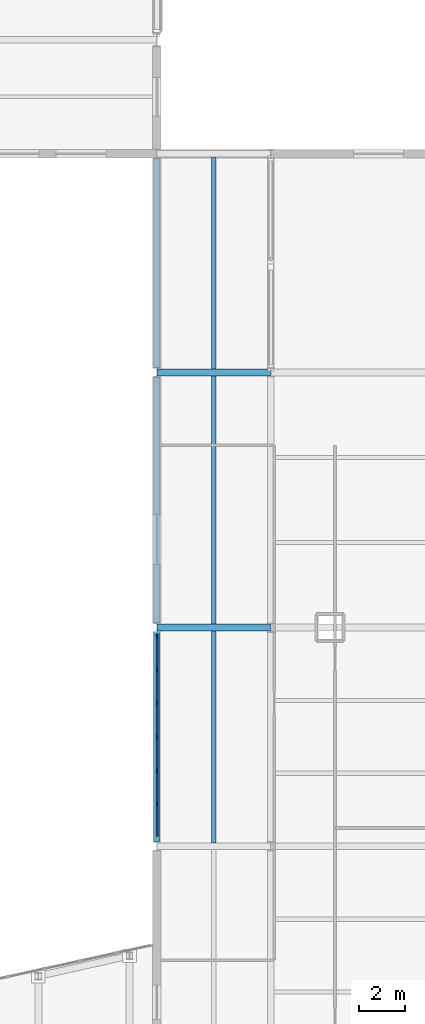
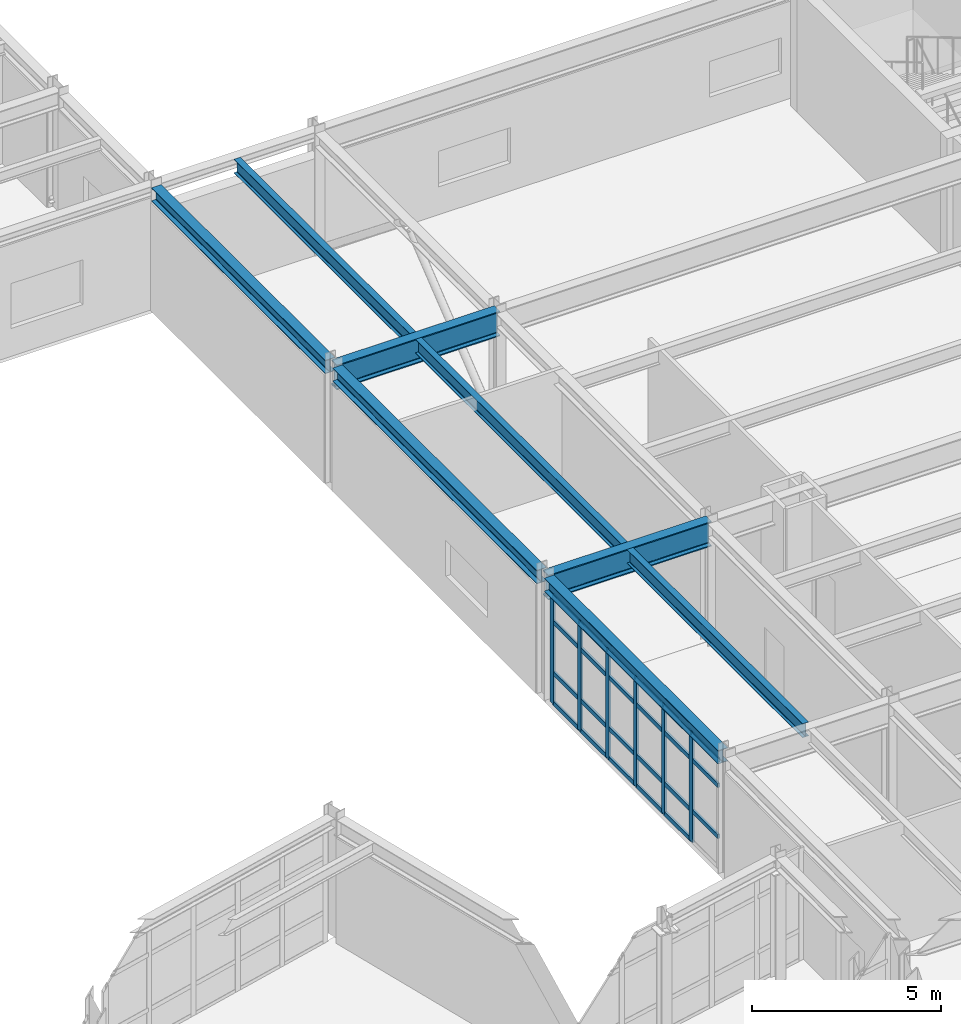
# One storey, part 51 of 99: 29 members, 8 beams, 1 element without a shape of its own.
"""IFC4 building model written with IfcOpenShell, lengths in metres."""

import ifcopenshell
import ifcopenshell.guid

model = None  # the IFC model being written
_history = None  # IfcOwnerHistory: only IFC2X3 demands one
_inside = {}  # id of a spatial element -> (the spatial element, [elements in it])
_under = {}  # id of a project, library or spatial element -> (it, [spatial elements below it])
_declared = {}  # id of a project -> (the project, [libraries it declares])
_typed = {}  # id of a type object -> (the type object, [elements of that type])
_made_of = {}  # id of a material, layer set ... -> (it, [elements and type objects made of it])


def new_model(schema):
    """Start an empty IFC model of exactly this schema.

    Asked for "IFC4X3", IfcOpenShell would pick the latest addendum, in which some entities
    have other attributes; the version numbers below select the first issue.
    IFC2X3 requires an IfcOwnerHistory on every rooted entity: one is made here for all.
    """
    global model, _history
    if schema == "IFC4X3":
        model = ifcopenshell.file(schema_version=(4, 3, 0, 0))
    else:
        model = ifcopenshell.file(schema=schema)
    _inside.clear()
    _under.clear()
    _declared.clear()
    _typed.clear()
    _made_of.clear()
    _history = None
    if model.schema == "IFC2X3":
        org = make("IfcOrganization", Name="unknown")
        user = make(
            "IfcPersonAndOrganization",
            ThePerson=make("IfcPerson", FamilyName="unknown"),
            TheOrganization=org,
        )
        app = make(
            "IfcApplication",
            ApplicationDeveloper=org,
            Version="unknown",
            ApplicationFullName="unknown",
            ApplicationIdentifier="unknown",
        )
        _history = make(
            "IfcOwnerHistory",
            OwningUser=user,
            OwningApplication=app,
            ChangeAction="ADDED",
            CreationDate=0,
        )
    return model


def make(cls, **values):
    """One entity of the class cls with the attributes given. An attribute that is None is left unset."""
    return model.create_entity(
        cls, **{name: value for name, value in values.items() if value is not None}
    )


def rooted(cls, **values):
    """An entity with a GlobalId (a new one), such as an element, a storey or a relation."""
    return make(cls, GlobalId=ifcopenshell.guid.new(), OwnerHistory=_history, **values)


def si_unit(unit_type, name, prefix=None):
    """IfcSIUnit, for example si_unit("LENGTHUNIT", "METRE", prefix="MILLI")."""
    return make("IfcSIUnit", UnitType=unit_type, Prefix=prefix, Name=name)


def assignment(units):
    """IfcUnitAssignment: the units of a project."""
    return None if units is None else make("IfcUnitAssignment", Units=units)


def point(xyz):
    """IfcCartesianPoint."""
    return None if xyz is None else make("IfcCartesianPoint", Coordinates=xyz)


def direction(xyz):
    """IfcDirection."""
    return None if xyz is None else make("IfcDirection", DirectionRatios=xyz)


def frame(location, z_axis=None, x_axis=None):
    """IfcAxis2Placement3D, a coordinate frame: its origin and axes. An axis left out is left unset."""
    return make(
        "IfcAxis2Placement3D",
        Location=point(location),
        Axis=direction(z_axis),
        RefDirection=direction(x_axis),
    )


def frame_2d(location, x_axis=None):
    """IfcAxis2Placement2D, a coordinate frame in the plane: its origin and x axis."""
    return make(
        "IfcAxis2Placement2D", Location=point(location), RefDirection=direction(x_axis)
    )


def origin():
    """The frame at (0, 0, 0) with its axes left unset."""
    return frame((0.0, 0.0, 0.0))


def origin_2d():
    """The frame at (0, 0) in the plane with its x axis left unset."""
    return frame_2d((0.0, 0.0))


def place(relative_to, where):
    """IfcLocalPlacement: puts the frame where relative to a parent placement (None: the world)."""
    return make(
        "IfcLocalPlacement", PlacementRelTo=relative_to, RelativePlacement=where
    )


def context(
    kind, dimensions, precision=None, world=None, true_north=None, identifier=None
):
    """IfcGeometricRepresentationContext, for example the 3D "Model" context."""
    return make(
        "IfcGeometricRepresentationContext",
        ContextIdentifier=identifier,
        ContextType=kind,
        CoordinateSpaceDimension=dimensions,
        Precision=precision,
        WorldCoordinateSystem=world,
        TrueNorth=true_north,
    )


def subcontext(parent, identifier, kind, view, scale=None):
    """IfcGeometricRepresentationSubContext, for example "Body" below "Model"."""
    return make(
        "IfcGeometricRepresentationSubContext",
        ContextIdentifier=identifier,
        ContextType=kind,
        ParentContext=parent,
        TargetScale=scale,
        TargetView=view,
    )


def project(units=None, contexts=None):
    """IfcProject with its units and contexts."""
    return rooted(
        "IfcProject",
        Name="project",
        RepresentationContexts=contexts,
        UnitsInContext=assignment(units),
    )


def spatial(cls, under=None, at=None, **own):
    """A site, building, storey or space (cls), placed at a placement, below another one or the project."""
    s = rooted(cls, ObjectPlacement=at, **own)
    if under is not None:
        _under.setdefault(under.id(), (under, []))[1].append(s)
    return s


def profile(cls, at=None, kind="AREA", **sizes):
    """A parametric profile (cls). Its sizes go by their IFC names, for example OverallWidth=200.0."""
    return make(cls, ProfileType=kind, Position=at, **sizes)


def rectangle(**sizes):
    """IfcRectangleProfileDef."""
    return profile("IfcRectangleProfileDef", **sizes)


def i_section(**sizes):
    """IfcIShapeProfileDef."""
    return profile("IfcIShapeProfileDef", **sizes)


def extrude(swept, where, along, depth):
    """IfcExtrudedAreaSolid: the profile swept, set in the frame where, extruded along a direction by depth."""
    return make(
        "IfcExtrudedAreaSolid",
        SweptArea=swept,
        Position=where,
        ExtrudedDirection=direction(along),
        Depth=depth,
    )


def shape(context_of_items, identifier, shape_type, items):
    """IfcShapeRepresentation: the items that make up one representation, for example the "Body"."""
    return make(
        "IfcShapeRepresentation",
        ContextOfItems=context_of_items,
        RepresentationIdentifier=identifier,
        RepresentationType=shape_type,
        Items=items,
    )


def material(Name=None, Category=None):
    """IfcMaterial."""
    return make("IfcMaterial", Name=Name, Category=Category)


def layer(
    of_material, thickness, ventilated=None, Name=None, Category=None, Priority=None
):
    """IfcMaterialLayer: one layer of a wall or slab, of a material (None: an air gap)."""
    return make(
        "IfcMaterialLayer",
        Material=of_material,
        LayerThickness=thickness,
        IsVentilated=ventilated,
        Name=Name,
        Category=Category,
        Priority=Priority,
    )


def layer_set(layers, Name=None):
    """IfcMaterialLayerSet."""
    return make("IfcMaterialLayerSet", MaterialLayers=layers, LayerSetName=Name)


def material_profile(
    of_material, cross_section, Name=None, Category=None, Priority=None
):
    """IfcMaterialProfile: a cross section and its material."""
    return make(
        "IfcMaterialProfile",
        Name=Name,
        Material=of_material,
        Profile=cross_section,
        Priority=Priority,
        Category=Category,
    )


def profile_set(profiles, Name=None, composite=None):
    """IfcMaterialProfileSet."""
    return make(
        "IfcMaterialProfileSet",
        Name=Name,
        MaterialProfiles=profiles,
        CompositeProfile=composite,
    )


def made_of(thing, what):
    """Note that an element or type object is made of a material, layer set ...; save() writes the relation."""
    if what is not None:
        _made_of.setdefault(what.id(), (what, []))[1].append(thing)
    return thing


def type_object(cls, material=None, **own):
    """A type object (cls), such as IfcWallType, which elements share."""
    return made_of(rooted(cls, **own), material)


def element(
    cls,
    number,
    at=None,
    inside=None,
    cuts=None,
    type_object=None,
    material=None,
    context=None,
    identifier="Body",
    shape_type=None,
    held_by="IfcProductDefinitionShape",
    body=None,
    shapes=None,
    **own,
):
    """One element of the class cls, such as IfcWall. Its Tag is "e" and its number.

    at: its placement. inside: the storey or other place that contains it. cuts: it is an
    opening in that element (IfcRelVoidsElement). A single representation is given by context,
    identifier, shape_type and body (its items); several are given by shapes. held_by: the class
    of the entity that holds the representations. save() writes the other relations.
    """
    e = rooted(cls, Tag="e%d" % number, ObjectPlacement=at, **own)
    if body is not None:
        shapes = [shape(context, identifier, shape_type, body)]
    if shapes is not None:
        e.Representation = make(held_by, Representations=shapes)
    if inside is not None:
        _inside.setdefault(inside.id(), (inside, []))[1].append(e)
    if cuts is not None:
        rooted(
            "IfcRelVoidsElement", RelatingBuildingElement=cuts, RelatedOpeningElement=e
        )
    if type_object is not None:
        _typed.setdefault(type_object.id(), (type_object, []))[1].append(e)
    return made_of(e, material)


def aggregate(whole, parts):
    """IfcRelAggregates: a whole, such as a stair, and the parts it consists of."""
    return rooted("IfcRelAggregates", RelatingObject=whole, RelatedObjects=parts)


def save(model, path):
    """Write the relations noted so far, then the file.

    IfcRelAggregates (storeys below a building ...), IfcRelContainedInSpatialStructure (elements
    in a storey), IfcRelDefinesByType, IfcRelAssociatesMaterial and IfcRelDeclares: one each for
    every whole, place, type object, material and project.
    """
    for whole, parts in _under.values():
        aggregate(whole, parts)
    for where, things in _inside.values():
        rooted(
            "IfcRelContainedInSpatialStructure",
            RelatedElements=things,
            RelatingStructure=where,
        )
    for kind, things in _typed.values():
        rooted("IfcRelDefinesByType", RelatedObjects=things, RelatingType=kind)
    for what, things in _made_of.values():
        rooted("IfcRelAssociatesMaterial", RelatedObjects=things, RelatingMaterial=what)
    for by, libraries in _declared.values():
        rooted("IfcRelDeclares", RelatingContext=by, RelatedDefinitions=libraries)
    model.write(path)


model = new_model("IFC4")

# Units and contexts
model_context = context("Model", 3, precision=1e-05, world=origin(), true_north=direction((0.0, 1.0)))
body_context = subcontext(model_context, "Body", "Model", "MODEL_VIEW")
ifc_project = project(units=[si_unit("LENGTHUNIT", "METRE"), si_unit("AREAUNIT", "SQUARE_METRE"), si_unit("VOLUMEUNIT", "CUBIC_METRE"), si_unit("PLANEANGLEUNIT", "RADIAN"), si_unit("MASSUNIT", "GRAM", prefix="KILO")], contexts=[model_context])

# Site, building, storey
site_placement = place(None, origin())
site = spatial("IfcSite", under=ifc_project, at=site_placement, CompositionType="ELEMENT")
building_placement = place(site_placement, origin())
building = spatial("IfcBuilding", under=site, at=building_placement, Name="Nordkorset Police Headquarters", CompositionType="ELEMENT")
storey_placement = place(building_placement, frame((0.0, 0.0, 5.25)))
storey = spatial("IfcBuildingStorey", under=building, at=storey_placement, Name="L01", CompositionType="ELEMENT", Elevation=5.25)

# Beams
ifc_material_1 = material(Name="Steel S355J2", Category="steel")
ifc_material_profile_1 = material_profile(ifc_material_1, i_section(OverallWidth=0.18994140625, OverallDepth=0.449951171875, WebThickness=0.009521484375, FlangeThickness=0.0146484375, FilletRadius=0.02099609375, at=origin_2d()), Name="IPE 450")
ifc_profile_set_1 = profile_set([ifc_material_profile_1], Name="Steel S355J2")
beam_type_1 = type_object("IfcBeamType", Name="Beam_IPE_450", PredefinedType="BEAM", material=ifc_profile_set_1)
beam_1_placement = place(storey_placement, frame((88.89990234375, 67.35009765625, 3.735107421875), z_axis=(0.0, 1.0, 0.0), x_axis=(-1.0, 0.0, 0.0)))
element("IfcBeam", 1, at=beam_1_placement, inside=storey, type_object=beam_type_1, Name="Composite Floor Beam V5 L01 0-2-1", PredefinedType="BEAM", context=body_context, shape_type="SweptSolid", body=[
    extrude(i_section(OverallWidth=0.18994140625, OverallDepth=0.449951171875, WebThickness=0.009521484375, FlangeThickness=0.0146484375, FilletRadius=0.02099609375, at=origin_2d()), origin(), (0.0, 0.0, 1.0), 9.2998046875),
])
beam_2_placement = place(storey_placement, frame((88.89990234375, 76.949951171875, 3.735107421875), z_axis=(0.0, 1.0, 0.0), x_axis=(-1.0, 0.0, 0.0)))
element("IfcBeam", 2, at=beam_2_placement, inside=storey, type_object=beam_type_1, Name="Composite Floor Beam V5 L01 0-3-1", PredefinedType="BEAM", context=body_context, shape_type="SweptSolid", body=[
    extrude(i_section(OverallWidth=0.18994140625, OverallDepth=0.449951171875, WebThickness=0.009521484375, FlangeThickness=0.0146484375, FilletRadius=0.02099609375, at=origin_2d()), origin(), (0.0, 0.0, 1.0), 10.900146484375),
])
beam_3_placement = place(storey_placement, frame((88.89990234375, 88.14990234375, 3.735107421875), z_axis=(0.0, 1.0, 0.0), x_axis=(-1.0, 0.0, 0.0)))
element("IfcBeam", 3, at=beam_3_placement, inside=storey, type_object=beam_type_1, Name="Composite Floor Beam V5 L01 0-4-1", PredefinedType="BEAM", context=body_context, shape_type="SweptSolid", body=[
    extrude(i_section(OverallWidth=0.18994140625, OverallDepth=0.449951171875, WebThickness=0.009521484375, FlangeThickness=0.0146484375, FilletRadius=0.02099609375, at=origin_2d()), origin(), (0.0, 0.0, 1.0), 9.300048828125),
])

# Curtain wall, members
ifc_material_2 = material(Name="Aluminium alloy AW-6060", Category="aluminium")
ifc_layer = layer(ifc_material_2, 0.179931640625, Name="Aluminium alloy AW-6060")
ifc_layer_set = layer_set([ifc_layer], Name="Aluminium alloy AW-6060")
curtain_wall_type = type_object("IfcCurtainWallType", Name="CW_Unit_888x350", PredefinedType="USERDEFINED", material=ifc_layer_set)
curtain_wall_placement = place(storey_placement, origin())
curtain_wall = element("IfcCurtainWall", 4, at=curtain_wall_placement, inside=storey, type_object=curtain_wall_type, Name="Unitised Curtain Wall L01 V5W-2", ObjectType="UNITISED CURTAIN WALL", PredefinedType="USERDEFINED")
ifc_material_3 = material(Name="Aluminium alloy AW-6060", Category="aluminium")
ifc_material_profile_2 = material_profile(ifc_material_3, rectangle(XDim=0.06494140625, YDim=0.179931640625, at=origin_2d()), Name="ALU MULL 65x180")
ifc_profile_set_2 = profile_set([ifc_material_profile_2], Name="Aluminium alloy AW-6060")
member_type_1 = type_object("IfcMemberType", Name="CW_Mullion_65x180", PredefinedType="MULLION", material=ifc_profile_set_2)
member_1_placement = place(storey_placement, frame((86.39990234375, 69.0400390625, 0.0), z_axis=(0.0, 0.0, 1.0), x_axis=(-1.0, 0.0, 0.0)))
member_1 = element("IfcMember", 5, at=member_1_placement, type_object=member_type_1, Name="CW-95 mullion 2", PredefinedType="MULLION", context=body_context, shape_type="SweptSolid", body=[
    extrude(rectangle(XDim=0.06494140625, YDim=0.179931640625, at=origin_2d()), origin(), (0.0, 0.0, 1.0), 3.5),
])
member_2_placement = place(storey_placement, frame((86.39990234375, 70.52001953125, 0.0), z_axis=(0.0, 0.0, 1.0), x_axis=(-1.0, 0.0, 0.0)))
member_2 = element("IfcMember", 6, at=member_2_placement, type_object=member_type_1, Name="CW-95 mullion 3", PredefinedType="MULLION", context=body_context, shape_type="SweptSolid", body=[
    extrude(rectangle(XDim=0.06494140625, YDim=0.179931640625, at=origin_2d()), origin(), (0.0, 0.0, 1.0), 3.5),
])
member_3_placement = place(storey_placement, frame((86.39990234375, 72.0, 0.0), z_axis=(0.0, 0.0, 1.0), x_axis=(-1.0, 0.0, 0.0)))
member_3 = element("IfcMember", 7, at=member_3_placement, type_object=member_type_1, Name="CW-95 mullion 4", PredefinedType="MULLION", context=body_context, shape_type="SweptSolid", body=[
    extrude(rectangle(XDim=0.06494140625, YDim=0.179931640625, at=origin_2d()), origin(), (0.0, 0.0, 1.0), 3.5),
])
member_4_placement = place(storey_placement, frame((86.39990234375, 73.47998046875, 0.0), z_axis=(0.0, 0.0, 1.0), x_axis=(-1.0, 0.0, 0.0)))
member_4 = element("IfcMember", 8, at=member_4_placement, type_object=member_type_1, Name="CW-95 mullion 5", PredefinedType="MULLION", context=body_context, shape_type="SweptSolid", body=[
    extrude(rectangle(XDim=0.06494140625, YDim=0.179931640625, at=origin_2d()), origin(), (0.0, 0.0, 1.0), 3.5),
])
member_5_placement = place(storey_placement, frame((86.39990234375, 74.9599609375, 0.0), z_axis=(0.0, 0.0, 1.0), x_axis=(-1.0, 0.0, 0.0)))
member_5 = element("IfcMember", 9, at=member_5_placement, type_object=member_type_1, Name="CW-95 mullion 6", PredefinedType="MULLION", context=body_context, shape_type="SweptSolid", body=[
    extrude(rectangle(XDim=0.06494140625, YDim=0.179931640625, at=origin_2d()), origin(), (0.0, 0.0, 1.0), 3.5),
])
member_6_placement = place(storey_placement, frame((86.39990234375, 76.407470703125, 0.0), z_axis=(0.0, 0.0, 1.0), x_axis=(-1.0, 0.0, 0.0)))
member_6 = element("IfcMember", 10, at=member_6_placement, type_object=member_type_1, Name="CW-95 mullion 7", PredefinedType="MULLION", context=body_context, shape_type="SweptSolid", body=[
    extrude(rectangle(XDim=0.06494140625, YDim=0.179931640625, at=origin_2d()), origin(), (0.0, 0.0, 1.0), 3.5),
])
ifc_material_4 = material(Name="Aluminium alloy AW-6060", Category="aluminium")
ifc_material_profile_3 = material_profile(ifc_material_4, rectangle(XDim=0.06494140625, YDim=0.139892578125, at=origin_2d()), Name="ALU TRAN 65x140")
ifc_profile_set_3 = profile_set([ifc_material_profile_3], Name="Aluminium alloy AW-6060")
member_type_2 = type_object("IfcMemberType", Name="CW_Transom_65x140", PredefinedType="USERDEFINED", material=ifc_profile_set_3)
member_7_placement = place(storey_placement, frame((86.39990234375, 67.625, 1.0), z_axis=(0.0, 1.0, 0.0), x_axis=(-1.0, 0.0, 0.0)))
member_7 = element("IfcMember", 11, at=member_7_placement, type_object=member_type_2, Name="CW-95 transom 1.2", ObjectType="TRANSOM", PredefinedType="USERDEFINED", context=body_context, shape_type="SweptSolid", body=[
    extrude(rectangle(XDim=0.06494140625, YDim=0.139892578125, at=origin_2d()), origin(), (0.0, 0.0, 1.0), 1.382568359375),
])
member_8_placement = place(storey_placement, frame((86.39990234375, 67.625, 2.64990234375), z_axis=(0.0, 1.0, 0.0), x_axis=(-1.0, 0.0, 0.0)))
member_8 = element("IfcMember", 12, at=member_8_placement, type_object=member_type_2, Name="CW-95 transom 1.3", ObjectType="TRANSOM", PredefinedType="USERDEFINED", context=body_context, shape_type="SweptSolid", body=[
    extrude(rectangle(XDim=0.06494140625, YDim=0.139892578125, at=origin_2d()), origin(), (0.0, 0.0, 1.0), 1.382568359375),
])
member_9_placement = place(storey_placement, frame((86.39990234375, 67.625, 3.467529296875), z_axis=(0.0, 1.0, 0.0), x_axis=(-1.0, 0.0, 0.0)))
member_9 = element("IfcMember", 13, at=member_9_placement, type_object=member_type_2, Name="CW-95 transom 1.4", ObjectType="TRANSOM", PredefinedType="USERDEFINED", context=body_context, shape_type="SweptSolid", body=[
    extrude(rectangle(XDim=0.06494140625, YDim=0.139892578125, at=origin_2d()), origin(), (0.0, 0.0, 1.0), 1.382568359375),
])
member_10_placement = place(storey_placement, frame((86.39990234375, 69.072509765625, 0.032470703125), z_axis=(0.0, 1.0, 0.0), x_axis=(-1.0, 0.0, 0.0)))
member_10 = element("IfcMember", 14, at=member_10_placement, type_object=member_type_2, Name="CW-95 transom 2.1", ObjectType="TRANSOM", PredefinedType="USERDEFINED", context=body_context, shape_type="SweptSolid", body=[
    extrude(rectangle(XDim=0.06494140625, YDim=0.139892578125, at=origin_2d()), origin(), (0.0, 0.0, 1.0), 1.4150390625),
])
member_11_placement = place(storey_placement, frame((86.39990234375, 69.072509765625, 1.0), z_axis=(0.0, 1.0, 0.0), x_axis=(-1.0, 0.0, 0.0)))
member_11 = element("IfcMember", 15, at=member_11_placement, type_object=member_type_2, Name="CW-95 transom 2.2", ObjectType="TRANSOM", PredefinedType="USERDEFINED", context=body_context, shape_type="SweptSolid", body=[
    extrude(rectangle(XDim=0.06494140625, YDim=0.139892578125, at=origin_2d()), origin(), (0.0, 0.0, 1.0), 1.4150390625),
])
member_12_placement = place(storey_placement, frame((86.39990234375, 69.072509765625, 2.64990234375), z_axis=(0.0, 1.0, 0.0), x_axis=(-1.0, 0.0, 0.0)))
member_12 = element("IfcMember", 16, at=member_12_placement, type_object=member_type_2, Name="CW-95 transom 2.3", ObjectType="TRANSOM", PredefinedType="USERDEFINED", context=body_context, shape_type="SweptSolid", body=[
    extrude(rectangle(XDim=0.06494140625, YDim=0.139892578125, at=origin_2d()), origin(), (0.0, 0.0, 1.0), 1.4150390625),
])
member_13_placement = place(storey_placement, frame((86.39990234375, 69.072509765625, 3.467529296875), z_axis=(0.0, 1.0, 0.0), x_axis=(-1.0, 0.0, 0.0)))
member_13 = element("IfcMember", 17, at=member_13_placement, type_object=member_type_2, Name="CW-95 transom 2.4", ObjectType="TRANSOM", PredefinedType="USERDEFINED", context=body_context, shape_type="SweptSolid", body=[
    extrude(rectangle(XDim=0.06494140625, YDim=0.139892578125, at=origin_2d()), origin(), (0.0, 0.0, 1.0), 1.4150390625),
])
member_14_placement = place(storey_placement, frame((86.39990234375, 70.552490234375, 0.032470703125), z_axis=(0.0, 1.0, 0.0), x_axis=(-1.0, 0.0, 0.0)))
member_14 = element("IfcMember", 18, at=member_14_placement, type_object=member_type_2, Name="CW-95 transom 3.1", ObjectType="TRANSOM", PredefinedType="USERDEFINED", context=body_context, shape_type="SweptSolid", body=[
    extrude(rectangle(XDim=0.06494140625, YDim=0.139892578125, at=origin_2d()), origin(), (0.0, 0.0, 1.0), 1.4150390625),
])
member_15_placement = place(storey_placement, frame((86.39990234375, 70.552490234375, 1.0), z_axis=(0.0, 1.0, 0.0), x_axis=(-1.0, 0.0, 0.0)))
member_15 = element("IfcMember", 19, at=member_15_placement, type_object=member_type_2, Name="CW-95 transom 3.2", ObjectType="TRANSOM", PredefinedType="USERDEFINED", context=body_context, shape_type="SweptSolid", body=[
    extrude(rectangle(XDim=0.06494140625, YDim=0.139892578125, at=origin_2d()), origin(), (0.0, 0.0, 1.0), 1.4150390625),
])
member_16_placement = place(storey_placement, frame((86.39990234375, 70.552490234375, 2.64990234375), z_axis=(0.0, 1.0, 0.0), x_axis=(-1.0, 0.0, 0.0)))
member_16 = element("IfcMember", 20, at=member_16_placement, type_object=member_type_2, Name="CW-95 transom 3.3", ObjectType="TRANSOM", PredefinedType="USERDEFINED", context=body_context, shape_type="SweptSolid", body=[
    extrude(rectangle(XDim=0.06494140625, YDim=0.139892578125, at=origin_2d()), origin(), (0.0, 0.0, 1.0), 1.4150390625),
])
member_17_placement = place(storey_placement, frame((86.39990234375, 70.552490234375, 3.467529296875), z_axis=(0.0, 1.0, 0.0), x_axis=(-1.0, 0.0, 0.0)))
member_17 = element("IfcMember", 21, at=member_17_placement, type_object=member_type_2, Name="CW-95 transom 3.4", ObjectType="TRANSOM", PredefinedType="USERDEFINED", context=body_context, shape_type="SweptSolid", body=[
    extrude(rectangle(XDim=0.06494140625, YDim=0.139892578125, at=origin_2d()), origin(), (0.0, 0.0, 1.0), 1.4150390625),
])
member_18_placement = place(storey_placement, frame((86.39990234375, 72.032470703125, 0.032470703125), z_axis=(0.0, 1.0, 0.0), x_axis=(-1.0, 0.0, 0.0)))
member_18 = element("IfcMember", 22, at=member_18_placement, type_object=member_type_2, Name="CW-95 transom 4.1", ObjectType="TRANSOM", PredefinedType="USERDEFINED", context=body_context, shape_type="SweptSolid", body=[
    extrude(rectangle(XDim=0.06494140625, YDim=0.139892578125, at=origin_2d()), origin(), (0.0, 0.0, 1.0), 1.4150390625),
])
member_19_placement = place(storey_placement, frame((86.39990234375, 72.032470703125, 1.0), z_axis=(0.0, 1.0, 0.0), x_axis=(-1.0, 0.0, 0.0)))
member_19 = element("IfcMember", 23, at=member_19_placement, type_object=member_type_2, Name="CW-95 transom 4.2", ObjectType="TRANSOM", PredefinedType="USERDEFINED", context=body_context, shape_type="SweptSolid", body=[
    extrude(rectangle(XDim=0.06494140625, YDim=0.139892578125, at=origin_2d()), origin(), (0.0, 0.0, 1.0), 1.4150390625),
])
member_20_placement = place(storey_placement, frame((86.39990234375, 72.032470703125, 2.64990234375), z_axis=(0.0, 1.0, 0.0), x_axis=(-1.0, 0.0, 0.0)))
member_20 = element("IfcMember", 24, at=member_20_placement, type_object=member_type_2, Name="CW-95 transom 4.3", ObjectType="TRANSOM", PredefinedType="USERDEFINED", context=body_context, shape_type="SweptSolid", body=[
    extrude(rectangle(XDim=0.06494140625, YDim=0.139892578125, at=origin_2d()), origin(), (0.0, 0.0, 1.0), 1.4150390625),
])
member_21_placement = place(storey_placement, frame((86.39990234375, 72.032470703125, 3.467529296875), z_axis=(0.0, 1.0, 0.0), x_axis=(-1.0, 0.0, 0.0)))
member_21 = element("IfcMember", 25, at=member_21_placement, type_object=member_type_2, Name="CW-95 transom 4.4", ObjectType="TRANSOM", PredefinedType="USERDEFINED", context=body_context, shape_type="SweptSolid", body=[
    extrude(rectangle(XDim=0.06494140625, YDim=0.139892578125, at=origin_2d()), origin(), (0.0, 0.0, 1.0), 1.4150390625),
])
member_22_placement = place(storey_placement, frame((86.39990234375, 73.512451171875, 0.032470703125), z_axis=(0.0, 1.0, 0.0), x_axis=(-1.0, 0.0, 0.0)))
member_22 = element("IfcMember", 26, at=member_22_placement, type_object=member_type_2, Name="CW-95 transom 5.1", ObjectType="TRANSOM", PredefinedType="USERDEFINED", context=body_context, shape_type="SweptSolid", body=[
    extrude(rectangle(XDim=0.06494140625, YDim=0.139892578125, at=origin_2d()), origin(), (0.0, 0.0, 1.0), 1.4150390625),
])
member_23_placement = place(storey_placement, frame((86.39990234375, 73.512451171875, 1.0), z_axis=(0.0, 1.0, 0.0), x_axis=(-1.0, 0.0, 0.0)))
member_23 = element("IfcMember", 27, at=member_23_placement, type_object=member_type_2, Name="CW-95 transom 5.2", ObjectType="TRANSOM", PredefinedType="USERDEFINED", context=body_context, shape_type="SweptSolid", body=[
    extrude(rectangle(XDim=0.06494140625, YDim=0.139892578125, at=origin_2d()), origin(), (0.0, 0.0, 1.0), 1.4150390625),
])
member_24_placement = place(storey_placement, frame((86.39990234375, 73.512451171875, 2.64990234375), z_axis=(0.0, 1.0, 0.0), x_axis=(-1.0, 0.0, 0.0)))
member_24 = element("IfcMember", 28, at=member_24_placement, type_object=member_type_2, Name="CW-95 transom 5.3", ObjectType="TRANSOM", PredefinedType="USERDEFINED", context=body_context, shape_type="SweptSolid", body=[
    extrude(rectangle(XDim=0.06494140625, YDim=0.139892578125, at=origin_2d()), origin(), (0.0, 0.0, 1.0), 1.4150390625),
])
member_25_placement = place(storey_placement, frame((86.39990234375, 73.512451171875, 3.467529296875), z_axis=(0.0, 1.0, 0.0), x_axis=(-1.0, 0.0, 0.0)))
member_25 = element("IfcMember", 29, at=member_25_placement, type_object=member_type_2, Name="CW-95 transom 5.4", ObjectType="TRANSOM", PredefinedType="USERDEFINED", context=body_context, shape_type="SweptSolid", body=[
    extrude(rectangle(XDim=0.06494140625, YDim=0.139892578125, at=origin_2d()), origin(), (0.0, 0.0, 1.0), 1.4150390625),
])
member_26_placement = place(storey_placement, frame((86.39990234375, 74.992431640625, 0.032470703125), z_axis=(0.0, 1.0, 0.0), x_axis=(-1.0, 0.0, 0.0)))
member_26 = element("IfcMember", 30, at=member_26_placement, type_object=member_type_2, Name="CW-95 transom 6.1", ObjectType="TRANSOM", PredefinedType="USERDEFINED", context=body_context, shape_type="SweptSolid", body=[
    extrude(rectangle(XDim=0.06494140625, YDim=0.139892578125, at=origin_2d()), origin(), (0.0, 0.0, 1.0), 1.382568359375),
])
member_27_placement = place(storey_placement, frame((86.39990234375, 74.992431640625, 1.0), z_axis=(0.0, 1.0, 0.0), x_axis=(-1.0, 0.0, 0.0)))
member_27 = element("IfcMember", 31, at=member_27_placement, type_object=member_type_2, Name="CW-95 transom 6.2", ObjectType="TRANSOM", PredefinedType="USERDEFINED", context=body_context, shape_type="SweptSolid", body=[
    extrude(rectangle(XDim=0.06494140625, YDim=0.139892578125, at=origin_2d()), origin(), (0.0, 0.0, 1.0), 1.382568359375),
])
member_28_placement = place(storey_placement, frame((86.39990234375, 74.992431640625, 2.64990234375), z_axis=(0.0, 1.0, 0.0), x_axis=(-1.0, 0.0, 0.0)))
member_28 = element("IfcMember", 32, at=member_28_placement, type_object=member_type_2, Name="CW-95 transom 6.3", ObjectType="TRANSOM", PredefinedType="USERDEFINED", context=body_context, shape_type="SweptSolid", body=[
    extrude(rectangle(XDim=0.06494140625, YDim=0.139892578125, at=origin_2d()), origin(), (0.0, 0.0, 1.0), 1.382568359375),
])
member_29_placement = place(storey_placement, frame((86.39990234375, 74.992431640625, 3.467529296875), z_axis=(0.0, 1.0, 0.0), x_axis=(-1.0, 0.0, 0.0)))
member_29 = element("IfcMember", 33, at=member_29_placement, type_object=member_type_2, Name="CW-95 transom 6.4", ObjectType="TRANSOM", PredefinedType="USERDEFINED", context=body_context, shape_type="SweptSolid", body=[
    extrude(rectangle(XDim=0.06494140625, YDim=0.139892578125, at=origin_2d()), origin(), (0.0, 0.0, 1.0), 1.382568359375),
])
aggregate(curtain_wall, [member_1, member_2, member_3, member_4, member_5, member_6, member_7, member_8, member_9, member_10, member_11, member_12, member_13, member_14, member_15, member_16, member_17, member_18, member_19, member_20, member_21, member_22, member_23, member_24, member_25, member_26, member_27, member_28, member_29])

# Beams
ifc_material_5 = material(Name="Steel S355J2", Category="steel")
ifc_material_profile_4 = material_profile(ifc_material_5, i_section(OverallWidth=0.300048828125, OverallDepth=0.43994140625, WebThickness=0.011474609375, FlangeThickness=0.02099609375, FilletRadius=0.027099609375, at=origin_2d()), Name="HEA 450")
ifc_profile_set_4 = profile_set([ifc_material_profile_4], Name="Steel S355J2")
beam_type_2 = type_object("IfcBeamType", Name="Girder_HEA_450", PredefinedType="USERDEFINED", material=ifc_profile_set_4)
beam_4_placement = place(storey_placement, frame((86.39990234375, 67.39990234375, 3.739990234375), z_axis=(0.0, 1.0, 0.0), x_axis=(-1.0, 0.0, 0.0)))
element("IfcBeam", 34, at=beam_4_placement, inside=storey, type_object=beam_type_2, Name="Girder V5 L01 GY-0-2", ObjectType="GIRDER", PredefinedType="USERDEFINED", context=body_context, shape_type="SweptSolid", body=[
    extrude(i_section(OverallWidth=0.300048828125, OverallDepth=0.43994140625, WebThickness=0.011474609375, FlangeThickness=0.02099609375, FilletRadius=0.027099609375, at=origin_2d()), origin(), (0.0, 0.0, 1.0), 9.2001953125),
])
beam_5_placement = place(storey_placement, frame((86.39990234375, 77.0, 3.739990234375), z_axis=(0.0, 1.0, 0.0), x_axis=(-1.0, 0.0, 0.0)))
element("IfcBeam", 35, at=beam_5_placement, inside=storey, type_object=beam_type_2, Name="Girder V5 L01 GY-0-3", ObjectType="GIRDER", PredefinedType="USERDEFINED", context=body_context, shape_type="SweptSolid", body=[
    extrude(i_section(OverallWidth=0.300048828125, OverallDepth=0.43994140625, WebThickness=0.011474609375, FlangeThickness=0.02099609375, FilletRadius=0.027099609375, at=origin_2d()), origin(), (0.0, 0.0, 1.0), 10.800048828125),
])
beam_6_placement = place(storey_placement, frame((86.39990234375, 88.199951171875, 3.739990234375), z_axis=(0.0, 1.0, 0.0), x_axis=(-1.0, 0.0, 0.0)))
element("IfcBeam", 36, at=beam_6_placement, inside=storey, type_object=beam_type_2, Name="Girder V5 L01 GY-0-4", ObjectType="GIRDER", PredefinedType="USERDEFINED", context=body_context, shape_type="SweptSolid", body=[
    extrude(i_section(OverallWidth=0.300048828125, OverallDepth=0.43994140625, WebThickness=0.011474609375, FlangeThickness=0.02099609375, FilletRadius=0.027099609375, at=origin_2d()), origin(), (0.0, 0.0, 1.0), 9.199951171875),
])
ifc_material_6 = material(Name="Steel S355J2", Category="steel")
ifc_material_profile_5 = material_profile(ifc_material_6, i_section(OverallWidth=0.300048828125, OverallDepth=0.800048828125, WebThickness=0.017578125, FlangeThickness=0.032958984375, FilletRadius=0.030029296875, at=origin_2d()), Name="HEB 800")
ifc_profile_set_5 = profile_set([ifc_material_profile_5], Name="Steel S355J2")
beam_type_3 = type_object("IfcBeamType", Name="Girder_HEB_800", PredefinedType="USERDEFINED", material=ifc_profile_set_5)
for number, where, z_axis, x_axis, name in (
    (37, (86.40673828125, 76.800048828125, 3.56005859375), (1.0, 0.0, 0.0), (0.0, 1.0, 0.0), "Girder V5 L01 GX-3-0"),
    (38, (86.40673828125, 88.0, 3.56005859375), (1.0, 0.0, 0.0), (0.0, 1.0, 0.0), "Girder V5 L01 GX-4-0"),
):
    element("IfcBeam", number, at=place(storey_placement, frame(where, z_axis=z_axis, x_axis=x_axis)), inside=storey, type_object=beam_type_3, Name=name, ObjectType="GIRDER", PredefinedType="USERDEFINED", context=body_context, shape_type="SweptSolid", body=[
        extrude(i_section(OverallWidth=0.300048828125, OverallDepth=0.800048828125, WebThickness=0.017578125, FlangeThickness=0.032958984375, FilletRadius=0.030029296875, at=origin_2d()), origin(), (0.0, 0.0, 1.0), 4.986572265625),
    ])

save(model, "model.ifc")
